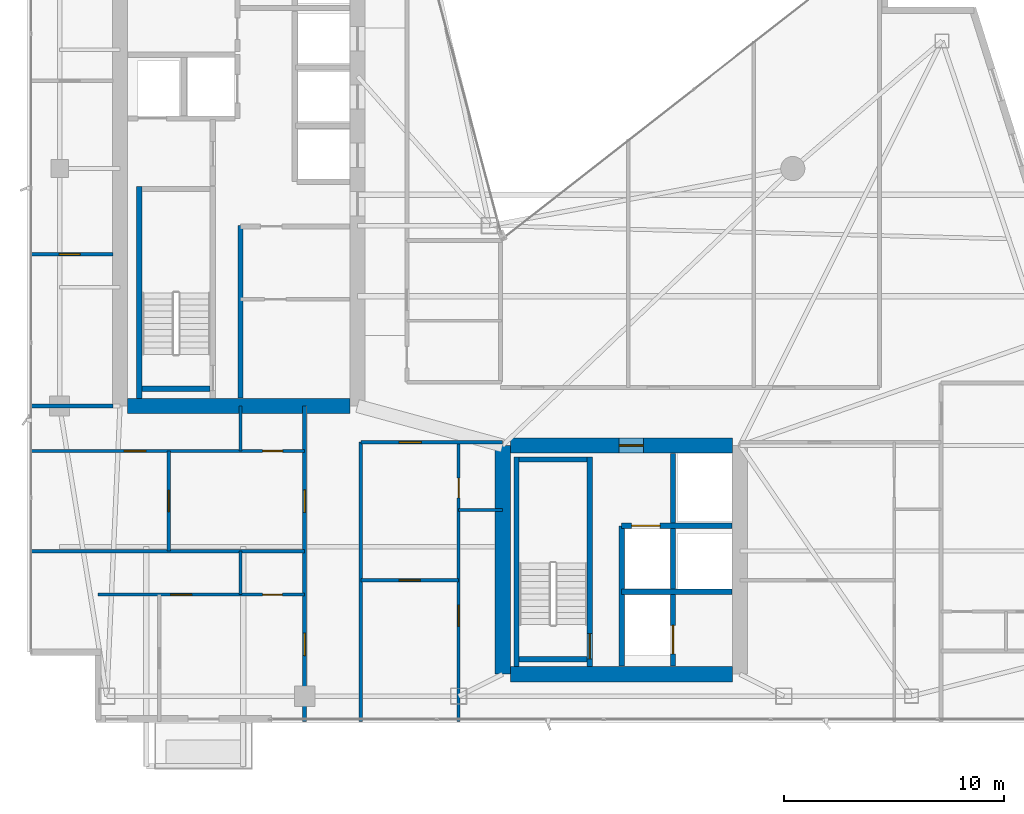
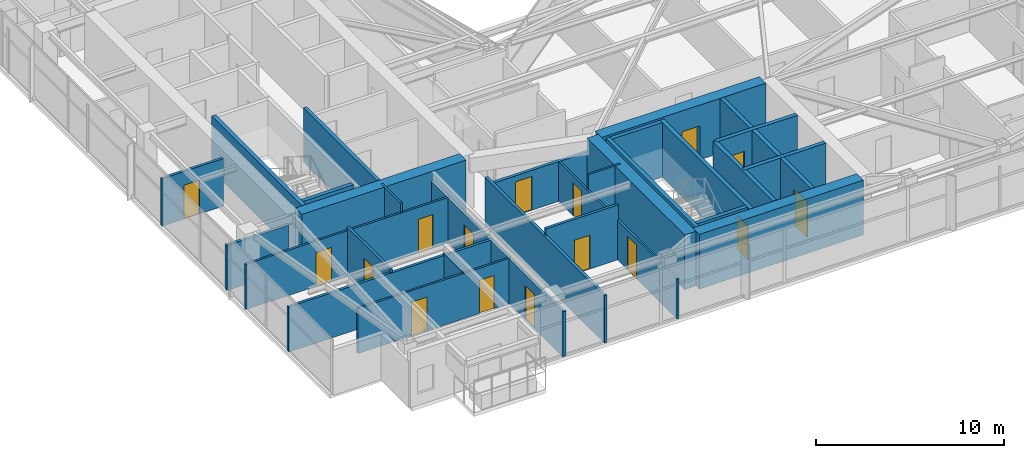
# One storey, part 24 of 30: 29 walls, 16 doors, 16 openings.
"""IFC4 building model written with IfcOpenShell, lengths in metres."""

from ifc_helpers import new_model, si_unit, direction, frame, frame_2d, origin, place, context, subcontext, project, spatial, rectangle, extrude, material, layer, layer_set, type_object, element, fill, save


model = new_model("IFC4")

# Units and contexts
model_context = context("Model", 3, precision=1e-05, world=origin(), true_north=direction((0.0, 1.0)))
body_context = subcontext(model_context, "Body", "Model", "MODEL_VIEW")
ifc_project = project(units=[si_unit("LENGTHUNIT", "METRE"), si_unit("AREAUNIT", "SQUARE_METRE"), si_unit("VOLUMEUNIT", "CUBIC_METRE"), si_unit("PLANEANGLEUNIT", "RADIAN"), si_unit("MASSUNIT", "GRAM", prefix="KILO")], contexts=[model_context])

# Site, building, storey
site_placement = place(None, origin())
site = spatial("IfcSite", under=ifc_project, at=site_placement, CompositionType="ELEMENT")
building_placement = place(site_placement, origin())
building = spatial("IfcBuilding", under=site, at=building_placement, Name="Calvorn Quay Hotel", CompositionType="ELEMENT")
storey_placement = place(building_placement, frame((0.0, 0.0, 203.39990234375)))
storey = spatial("IfcBuildingStorey", under=building, at=storey_placement, Name="L50", CompositionType="ELEMENT", Elevation=203.39990234375)

# Walls
ifc_material_1 = material(Name="Concrete C45", Category="concrete")
ifc_layer_1 = layer(ifc_material_1, 0.699951171875)
ifc_layer_set_1 = layer_set([ifc_layer_1], Name="WL-CORE-700")
wall_type_1 = type_object("IfcWallType", Name="WL-CORE-700", PredefinedType="SHEAR", material=ifc_layer_set_1)
wall_1_placement = place(storey_placement, frame((4.550048828125, 16.800048828125, 0.0), z_axis=(0.0, 0.0, 1.0), x_axis=(1.0, 0.0, 0.0)))
element("IfcWall", 1, at=wall_1_placement, inside=storey, type_object=wall_type_1, Name="West Core Shear Wall S (L50)", PredefinedType="SHEAR", context=body_context, shape_type="SweptSolid", body=[
    extrude(rectangle(XDim=10.099853515625, YDim=0.699951171875, at=frame_2d((5.0498046875, 0.0))), origin(), (0.0, 0.0, 1.0), 3.56005859375),
])
wall_2_placement = place(storey_placement, frame((21.60009765625, 4.60009765625, 0.0), z_axis=(0.0, 0.0, 1.0), x_axis=(0.0, 1.0, 0.0)))
element("IfcWall", 2, at=wall_2_placement, inside=storey, type_object=wall_type_1, Name="East Core Shear Wall W (L50)", PredefinedType="SHEAR", context=body_context, shape_type="SweptSolid", body=[
    extrude(rectangle(XDim=10.39990234375, YDim=0.699951171875, at=frame_2d((5.199951171875, 0.0))), origin(), (0.0, 0.0, 1.0), 3.56005859375),
])

# Wall, opening, door
wall_3_placement = place(storey_placement, frame((21.949951171875, 15.0, 0.0), z_axis=(0.0, 0.0, 1.0), x_axis=(1.0, 0.0, 0.0)))
wall_3 = element("IfcWall", 3, at=wall_3_placement, inside=storey, type_object=wall_type_1, Name="East Core Shear Wall N (L50)", PredefinedType="SHEAR", context=body_context, shape_type="SweptSolid", body=[
    extrude(rectangle(XDim=10.10009765625, YDim=0.699951171875, at=frame_2d((5.050048828125, 0.0))), origin(), (0.0, 0.0, 1.0), 3.56005859375),
])
opening_1_placement = place(wall_3_placement, frame((4.949951171875, 0.0, 0.0)))
opening_1 = element("IfcOpeningElement", 4, at=opening_1_placement, cuts=wall_3, Name="Opening D-L50-FLE", PredefinedType="OPENING", context=body_context, shape_type="SweptSolid", body=[
    extrude(rectangle(XDim=1.10009765625, YDim=2.199951171875, at=frame_2d((0.550048828125, 1.10009765625))), frame((0.0, 0.35986328125, 0.0), z_axis=(0.0, -1.0, 0.0), x_axis=(1.0, 0.0, 0.0)), (0.0, 0.0, 1.0), 0.719970703125),
])
ifc_material_2 = material(Name="Smoke-Sealed Steel Class A Fire Door", Category="steel")
door_type_1 = type_object("IfcDoorType", Name="DR-FFLOBBY-1100", OperationType="NOTDEFINED", PredefinedType="DOOR", material=ifc_material_2)
door_1_placement = place(opening_1_placement, origin())
door_1 = element("IfcDoor", 5, at=door_1_placement, inside=storey, type_object=door_type_1, Name="East Firefighting Lobby Fire Door (L50)", OperationType="SINGLE_SWING_RIGHT", OverallHeight=2.199951171875, OverallWidth=1.10009765625, PredefinedType="DOOR", context=body_context, shape_type="SweptSolid", body=[
    extrude(rectangle(XDim=1.10009765625, YDim=2.199951171875, at=frame_2d((0.550048828125, 1.10009765625))), frame((0.0, 0.02490234375, 0.0), z_axis=(0.0, -1.0, 0.0), x_axis=(1.0, 0.0, 0.0)), (0.0, 0.0, 1.0), 0.050048828125),
])
fill(opening_1, door_1)

# Walls
wall_4_placement = place(storey_placement, frame((21.949951171875, 4.60009765625, 0.0), z_axis=(0.0, 0.0, 1.0), x_axis=(1.0, 0.0, 0.0)))
element("IfcWall", 6, at=wall_4_placement, inside=storey, type_object=wall_type_1, Name="East Core Shear Wall S (L50)", PredefinedType="SHEAR", context=body_context, shape_type="SweptSolid", body=[
    extrude(rectangle(XDim=10.10009765625, YDim=0.699951171875, at=frame_2d((5.050048828125, 0.0))), origin(), (0.0, 0.0, 1.0), 3.56005859375),
])
ifc_material_3 = material(Name="Acoustic Fireboard Steel-Stud Partition", Category="steel")
ifc_layer_2 = layer(ifc_material_3, 0.179931640625)
ifc_layer_set_2 = layer_set([ifc_layer_2], Name="WL-CORR-FIRE-180")
wall_type_2 = type_object("IfcWallType", Name="WL-CORR-FIRE-180", PredefinedType="PARTITIONING", material=ifc_layer_set_2)
wall_5_placement = place(storey_placement, frame((0.080078125, 16.800048828125, 0.0), z_axis=(0.0, 0.0, 1.0), x_axis=(1.0, 0.0, 0.0)))
element("IfcWall", 7, at=wall_5_placement, inside=storey, type_object=wall_type_2, Name="Partition Wall L50-WL-WBAY-S-WALL", PredefinedType="PARTITIONING", context=body_context, shape_type="SweptSolid", body=[
    extrude(rectangle(XDim=3.7998046875, YDim=0.179931640625, at=frame_2d((1.89990234375, 0.0))), origin(), (0.0, 0.0, 1.0), 2.940185546875),
])

# Wall, openings, doors
wall_6_placement = place(storey_placement, frame((12.60009765625, 2.43994140625, 0.0), z_axis=(0.0, 0.0, 1.0), x_axis=(0.0, 1.0, 0.0)))
wall_6 = element("IfcWall", 8, at=wall_6_placement, inside=storey, type_object=wall_type_2, Name="Partition Wall L50-WL-CORR-SW-LEG-W", PredefinedType="PARTITIONING", context=body_context, shape_type="SweptSolid", body=[
    extrude(rectangle(XDim=14.360107421875, YDim=0.179931640625, at=frame_2d((7.18017578125, 0.0))), origin(), (0.0, 0.0, 1.0), 2.940185546875),
])
opening_2_placement = place(wall_6_placement, frame((3.010009765625, 0.0, 0.0)))
opening_2 = element("IfcOpeningElement", 9, at=opening_2_placement, cuts=wall_6, Name="Opening D-L50-U01", PredefinedType="OPENING", context=body_context, shape_type="SweptSolid", body=[
    extrude(rectangle(XDim=1.02001953125, YDim=2.199951171875, at=frame_2d((0.510009765625, 1.10009765625))), frame((0.0, 0.099853515625, 0.0), z_axis=(0.0, -1.0, 0.0), x_axis=(1.0, 0.0, 0.0)), (0.0, 0.0, 1.0), 0.199951171875),
])
opening_3_placement = place(wall_6_placement, frame((9.52001953125, 0.0, 0.0)))
opening_3 = element("IfcOpeningElement", 10, at=opening_3_placement, cuts=wall_6, Name="Opening D-L50-U02", PredefinedType="OPENING", context=body_context, shape_type="SweptSolid", body=[
    extrude(rectangle(XDim=1.02001953125, YDim=2.199951171875, at=frame_2d((0.510009765625, 1.10009765625))), frame((0.0, 0.099853515625, 0.0), z_axis=(0.0, -1.0, 0.0), x_axis=(1.0, 0.0, 0.0)), (0.0, 0.0, 1.0), 0.199951171875),
])
ifc_material_4 = material(Name="Solid-Core Walnut Veneer Hotel Fire Door")
door_type_2 = type_object("IfcDoorType", Name="DR-GUEST-ENTRY-1020", OperationType="NOTDEFINED", PredefinedType="DOOR", material=ifc_material_4)
door_2_placement = place(opening_2_placement, origin())
door_2 = element("IfcDoor", 11, at=door_2_placement, inside=storey, type_object=door_type_2, Name="South-West Unit Door U01 (L50)", OperationType="SINGLE_SWING_LEFT", OverallHeight=2.199951171875, OverallWidth=1.02001953125, PredefinedType="DOOR", context=body_context, shape_type="SweptSolid", body=[
    extrude(rectangle(XDim=1.02001953125, YDim=2.199951171875, at=frame_2d((0.510009765625, 1.10009765625))), frame((0.0, 0.02490234375, 0.0), z_axis=(0.0, -1.0, 0.0), x_axis=(1.0, 0.0, 0.0)), (0.0, 0.0, 1.0), 0.050048828125),
])
fill(opening_2, door_2)
door_3_placement = place(opening_3_placement, origin())
door_3 = element("IfcDoor", 12, at=door_3_placement, inside=storey, type_object=door_type_2, Name="South-West Unit Door U02 (L50)", OperationType="SINGLE_SWING_RIGHT", OverallHeight=2.199951171875, OverallWidth=1.02001953125, PredefinedType="DOOR", context=body_context, shape_type="SweptSolid", body=[
    extrude(rectangle(XDim=1.02001953125, YDim=2.199951171875, at=frame_2d((0.510009765625, 1.10009765625))), frame((0.0, 0.02490234375, 0.0), z_axis=(0.0, -1.0, 0.0), x_axis=(1.0, 0.0, 0.0)), (0.0, 0.0, 1.0), 0.050048828125),
])
fill(opening_3, door_3)

# Wall
wall_7_placement = place(storey_placement, frame((15.14990234375, 2.43994140625, 0.0), z_axis=(0.0, 0.0, 1.0), x_axis=(0.0, 1.0, 0.0)))
element("IfcWall", 13, at=wall_7_placement, inside=storey, type_object=wall_type_2, Name="Partition Wall L50-WL-CORR-SW-W", PredefinedType="PARTITIONING", context=body_context, shape_type="SweptSolid", body=[
    extrude(rectangle(XDim=12.7099609375, YDim=0.179931640625, at=frame_2d((6.35498046875, 0.0))), origin(), (0.0, 0.0, 1.0), 3.090087890625),
])

# Wall, opening, door
wall_8_placement = place(storey_placement, frame((15.14990234375, 15.14990234375, 0.0), z_axis=(0.0, 0.0, 1.0), x_axis=(1.0, 0.0, 0.0)))
wall_8 = element("IfcWall", 14, at=wall_8_placement, inside=storey, type_object=wall_type_2, Name="Partition Wall L50-WL-SC-CORR-S", PredefinedType="PARTITIONING", context=body_context, shape_type="SweptSolid", body=[
    extrude(rectangle(XDim=6.4501953125, YDim=0.179931640625, at=frame_2d((3.22509765625, 0.0))), origin(), (0.0, 0.0, 1.0), 2.590087890625),
])
opening_4_placement = place(wall_8_placement, frame((1.739990234375, 0.0, 0.0)))
opening_4 = element("IfcOpeningElement", 15, at=opening_4_placement, cuts=wall_8, Name="Opening D-L50-U03", PredefinedType="OPENING", context=body_context, shape_type="SweptSolid", body=[
    extrude(rectangle(XDim=1.02001953125, YDim=2.199951171875, at=frame_2d((0.510009765625, 1.10009765625))), frame((0.0, 0.099853515625, 0.0), z_axis=(0.0, -1.0, 0.0), x_axis=(1.0, 0.0, 0.0)), (0.0, 0.0, 1.0), 0.199951171875),
])
door_4_placement = place(opening_4_placement, origin())
door_4 = element("IfcDoor", 16, at=door_4_placement, inside=storey, type_object=door_type_2, Name="Harbour Central Unit Door (L50)", OperationType="SINGLE_SWING_LEFT", OverallHeight=2.199951171875, OverallWidth=1.02001953125, PredefinedType="DOOR", context=body_context, shape_type="SweptSolid", body=[
    extrude(rectangle(XDim=1.02001953125, YDim=2.199951171875, at=frame_2d((0.510009765625, 1.10009765625))), frame((0.0, 0.02490234375, 0.0), z_axis=(0.0, -1.0, 0.0), x_axis=(1.0, 0.0, 0.0)), (0.0, 0.0, 1.0), 0.050048828125),
])
fill(opening_4, door_4)

# Wall
ifc_material_5 = material(Name="Moisture-Resistant Tile-Backed Partition")
ifc_layer_3 = layer(ifc_material_5, 0.125)
ifc_layer_set_3 = layer_set([ifc_layer_3], Name="WL-ENSUITE-125")
wall_type_3 = type_object("IfcWallType", Name="WL-ENSUITE-125", PredefinedType="PARTITIONING", material=ifc_layer_set_3)
wall_9_placement = place(storey_placement, frame((9.679931640625, 8.219970703125, 0.0), z_axis=(0.0, 0.0, 1.0), x_axis=(0.0, 1.0, 0.0)))
element("IfcWall", 17, at=wall_9_placement, inside=storey, type_object=wall_type_3, Name="Partition Wall L50-WL-U01-BDV", PredefinedType="PARTITIONING", context=body_context, shape_type="SweptSolid", body=[
    extrude(rectangle(XDim=1.97998046875, YDim=0.125, at=frame_2d((0.989990234375, 0.0))), origin(), (0.0, 0.0, 1.0), 3.090087890625),
])

# Wall, openings, doors
wall_10_placement = place(storey_placement, frame((3.199951171875, 8.219970703125, 0.0), z_axis=(0.0, 0.0, 1.0), x_axis=(1.0, 0.0, 0.0)))
wall_10 = element("IfcWall", 18, at=wall_10_placement, inside=storey, type_object=wall_type_3, Name="Partition Wall L50-WL-U01-BH", PredefinedType="PARTITIONING", context=body_context, shape_type="SweptSolid", body=[
    extrude(rectangle(XDim=9.400146484375, YDim=0.125, at=frame_2d((4.7001953125, 0.0))), origin(), (0.0, 0.0, 1.0), 2.940185546875),
])
opening_5_placement = place(wall_10_placement, frame((3.300048828125, 0.0, 0.0)))
opening_5 = element("IfcOpeningElement", 19, at=opening_5_placement, cuts=wall_10, Name="Opening D-L50-S01", PredefinedType="OPENING", context=body_context, shape_type="SweptSolid", body=[
    extrude(rectangle(XDim=0.9599609375, YDim=2.199951171875, at=frame_2d((0.47998046875, 1.10009765625))), frame((0.0, 0.072509765625, 0.0), z_axis=(0.0, -1.0, 0.0), x_axis=(1.0, 0.0, 0.0)), (0.0, 0.0, 1.0), 0.14501953125),
])
opening_6_placement = place(wall_10_placement, frame((7.489990234375, 0.0, 0.0)))
opening_6 = element("IfcOpeningElement", 20, at=opening_6_placement, cuts=wall_10, Name="Opening D-L50-E01", PredefinedType="OPENING", context=body_context, shape_type="SweptSolid", body=[
    extrude(rectangle(XDim=0.89990234375, YDim=2.14990234375, at=frame_2d((0.449951171875, 1.074951171875))), frame((0.0, 0.072509765625, 0.0), z_axis=(0.0, -1.0, 0.0), x_axis=(1.0, 0.0, 0.0)), (0.0, 0.0, 1.0), 0.14501953125),
])
ifc_material_6 = material(Name="Moisture-Sealed Timber En-Suite Door", Category="wood")
door_type_3 = type_object("IfcDoorType", Name="DR-ENSUITE-900", OperationType="NOTDEFINED", PredefinedType="DOOR", material=ifc_material_6)
door_5_placement = place(opening_6_placement, origin())
door_5 = element("IfcDoor", 21, at=door_5_placement, inside=storey, type_object=door_type_3, Name="En-Suite Door 01", OperationType="SINGLE_SWING_RIGHT", OverallHeight=2.14990234375, OverallWidth=0.89990234375, PredefinedType="DOOR", context=body_context, shape_type="SweptSolid", body=[
    extrude(rectangle(XDim=0.89990234375, YDim=2.14990234375, at=frame_2d((0.449951171875, 1.074951171875))), frame((0.0, 0.02490234375, 0.0), z_axis=(0.0, -1.0, 0.0), x_axis=(1.0, 0.0, 0.0)), (0.0, 0.0, 1.0), 0.050048828125),
])
fill(opening_6, door_5)
ifc_material_7 = material(Name="Solid Timber Internal Suite Door", Category="wood")
door_type_4 = type_object("IfcDoorType", Name="DR-SUITE-INT-960", OperationType="NOTDEFINED", PredefinedType="DOOR", material=ifc_material_7)
door_6_placement = place(opening_5_placement, origin())
door_6 = element("IfcDoor", 22, at=door_6_placement, inside=storey, type_object=door_type_4, Name="Executive Study Door 01", OperationType="SINGLE_SWING_LEFT", OverallHeight=2.199951171875, OverallWidth=0.9599609375, PredefinedType="DOOR", context=body_context, shape_type="SweptSolid", body=[
    extrude(rectangle(XDim=0.9599609375, YDim=2.199951171875, at=frame_2d((0.47998046875, 1.10009765625))), frame((0.0, 0.02490234375, 0.0), z_axis=(0.0, -1.0, 0.0), x_axis=(1.0, 0.0, 0.0)), (0.0, 0.0, 1.0), 0.050048828125),
])
fill(opening_5, door_6)

# Wall
wall_11_placement = place(storey_placement, frame((9.679931640625, 14.75, 0.0), z_axis=(0.0, 0.0, 1.0), x_axis=(0.0, 1.0, 0.0)))
element("IfcWall", 23, at=wall_11_placement, inside=storey, type_object=wall_type_3, Name="Partition Wall L50-WL-U02-BDV", PredefinedType="PARTITIONING", context=body_context, shape_type="SweptSolid", body=[
    extrude(rectangle(XDim=2.050048828125, YDim=0.125, at=frame_2d((1.02490234375, 0.0))), origin(), (0.0, 0.0, 1.0), 3.56005859375),
])

# Wall, openings, doors
wall_12_placement = place(storey_placement, frame((0.080078125, 14.75, 0.0), z_axis=(0.0, 0.0, 1.0), x_axis=(1.0, 0.0, 0.0)))
wall_12 = element("IfcWall", 24, at=wall_12_placement, inside=storey, type_object=wall_type_3, Name="Partition Wall L50-WL-U02-BH", PredefinedType="PARTITIONING", context=body_context, shape_type="SweptSolid", body=[
    extrude(rectangle(XDim=12.52001953125, YDim=0.125, at=frame_2d((6.260009765625, 0.0))), origin(), (0.0, 0.0, 1.0), 2.940185546875),
])
opening_7_placement = place(wall_12_placement, frame((4.320068359375, 0.0, 0.0)))
opening_7 = element("IfcOpeningElement", 25, at=opening_7_placement, cuts=wall_12, Name="Opening D-L50-S02", PredefinedType="OPENING", context=body_context, shape_type="SweptSolid", body=[
    extrude(rectangle(XDim=0.9599609375, YDim=2.199951171875, at=frame_2d((0.47998046875, 1.10009765625))), frame((0.0, 0.072509765625, 0.0), z_axis=(0.0, -1.0, 0.0), x_axis=(1.0, 0.0, 0.0)), (0.0, 0.0, 1.0), 0.14501953125),
])
opening_8_placement = place(wall_12_placement, frame((10.610107421875, 0.0, 0.0)))
opening_8 = element("IfcOpeningElement", 26, at=opening_8_placement, cuts=wall_12, Name="Opening D-L50-E02", PredefinedType="OPENING", context=body_context, shape_type="SweptSolid", body=[
    extrude(rectangle(XDim=0.89990234375, YDim=2.14990234375, at=frame_2d((0.449951171875, 1.074951171875))), frame((0.0, 0.072509765625, 0.0), z_axis=(0.0, -1.0, 0.0), x_axis=(1.0, 0.0, 0.0)), (0.0, 0.0, 1.0), 0.14501953125),
])
door_7_placement = place(opening_8_placement, origin())
door_7 = element("IfcDoor", 27, at=door_7_placement, inside=storey, type_object=door_type_3, Name="En-Suite Door 02", OperationType="SINGLE_SWING_RIGHT", OverallHeight=2.14990234375, OverallWidth=0.89990234375, PredefinedType="DOOR", context=body_context, shape_type="SweptSolid", body=[
    extrude(rectangle(XDim=0.89990234375, YDim=2.14990234375, at=frame_2d((0.449951171875, 1.074951171875))), frame((0.0, 0.02490234375, 0.0), z_axis=(0.0, -1.0, 0.0), x_axis=(1.0, 0.0, 0.0)), (0.0, 0.0, 1.0), 0.050048828125),
])
fill(opening_8, door_7)
door_8_placement = place(opening_7_placement, origin())
door_8 = element("IfcDoor", 28, at=door_8_placement, inside=storey, type_object=door_type_4, Name="Executive Study Door 02", OperationType="SINGLE_SWING_LEFT", OverallHeight=2.199951171875, OverallWidth=0.9599609375, PredefinedType="DOOR", context=body_context, shape_type="SweptSolid", body=[
    extrude(rectangle(XDim=0.9599609375, YDim=2.199951171875, at=frame_2d((0.47998046875, 1.10009765625))), frame((0.0, 0.02490234375, 0.0), z_axis=(0.0, -1.0, 0.0), x_axis=(1.0, 0.0, 0.0)), (0.0, 0.0, 1.0), 0.050048828125),
])
fill(opening_7, door_8)

# Wall
wall_13_placement = place(storey_placement, frame((19.60009765625, 12.070068359375, 0.0), z_axis=(0.0, 0.0, 1.0), x_axis=(1.0, 0.0, 0.0)))
element("IfcWall", 29, at=wall_13_placement, inside=storey, type_object=wall_type_3, Name="Partition Wall L50-WL-U03-BDV", PredefinedType="PARTITIONING", context=body_context, shape_type="SweptSolid", body=[
    extrude(rectangle(XDim=2.0, YDim=0.125, at=frame_2d((1.0, 0.0))), origin(), (0.0, 0.0, 1.0), 3.56005859375),
])

# Wall, openings, doors
wall_14_placement = place(storey_placement, frame((19.60009765625, 2.43994140625, 0.0), z_axis=(0.0, 0.0, 1.0), x_axis=(0.0, 1.0, 0.0)))
wall_14 = element("IfcWall", 30, at=wall_14_placement, inside=storey, type_object=wall_type_3, Name="Partition Wall L50-WL-U03-BV", PredefinedType="PARTITIONING", context=body_context, shape_type="SweptSolid", body=[
    extrude(rectangle(XDim=12.7099609375, YDim=0.125, at=frame_2d((6.35498046875, 0.0))), origin(), (0.0, 0.0, 1.0), 2.590087890625),
])
opening_9_placement = place(wall_14_placement, frame((4.340087890625, 0.0, 0.0)))
opening_9 = element("IfcOpeningElement", 31, at=opening_9_placement, cuts=wall_14, Name="Opening D-L50-S03", PredefinedType="OPENING", context=body_context, shape_type="SweptSolid", body=[
    extrude(rectangle(XDim=0.9599609375, YDim=2.199951171875, at=frame_2d((0.47998046875, 1.10009765625))), frame((0.0, 0.072509765625, 0.0), z_axis=(0.0, -1.0, 0.0), x_axis=(1.0, 0.0, 0.0)), (0.0, 0.0, 1.0), 0.14501953125),
])
opening_10_placement = place(wall_14_placement, frame((10.179931640625, 0.0, 0.0)))
opening_10 = element("IfcOpeningElement", 32, at=opening_10_placement, cuts=wall_14, Name="Opening D-L50-E03", PredefinedType="OPENING", context=body_context, shape_type="SweptSolid", body=[
    extrude(rectangle(XDim=0.89990234375, YDim=2.14990234375, at=frame_2d((0.449951171875, 1.074951171875))), frame((0.0, 0.072509765625, 0.0), z_axis=(0.0, -1.0, 0.0), x_axis=(1.0, 0.0, 0.0)), (0.0, 0.0, 1.0), 0.14501953125),
])
door_9_placement = place(opening_10_placement, origin())
door_9 = element("IfcDoor", 33, at=door_9_placement, inside=storey, type_object=door_type_3, Name="En-Suite Door 03", OperationType="SINGLE_SWING_RIGHT", OverallHeight=2.14990234375, OverallWidth=0.89990234375, PredefinedType="DOOR", context=body_context, shape_type="SweptSolid", body=[
    extrude(rectangle(XDim=0.89990234375, YDim=2.14990234375, at=frame_2d((0.449951171875, 1.074951171875))), frame((0.0, 0.02490234375, 0.0), z_axis=(0.0, -1.0, 0.0), x_axis=(1.0, 0.0, 0.0)), (0.0, 0.0, 1.0), 0.050048828125),
])
fill(opening_10, door_9)
door_10_placement = place(opening_9_placement, origin())
door_10 = element("IfcDoor", 34, at=door_10_placement, inside=storey, type_object=door_type_4, Name="Executive Study Door 03", OperationType="SINGLE_SWING_LEFT", OverallHeight=2.199951171875, OverallWidth=0.9599609375, PredefinedType="DOOR", context=body_context, shape_type="SweptSolid", body=[
    extrude(rectangle(XDim=0.9599609375, YDim=2.199951171875, at=frame_2d((0.47998046875, 1.10009765625))), frame((0.0, 0.02490234375, 0.0), z_axis=(0.0, -1.0, 0.0), x_axis=(1.0, 0.0, 0.0)), (0.0, 0.0, 1.0), 0.050048828125),
])
fill(opening_9, door_10)

# Wall, opening, door
ifc_material_8 = material(Name="Double-Stud Acoustic Gypsum Partition")
ifc_layer_4 = layer(ifc_material_8, 0.159912109375)
ifc_layer_set_4 = layer_set([ifc_layer_4], Name="WL-INTERSUITE-160")
wall_type_4 = type_object("IfcWallType", Name="WL-INTERSUITE-160", PredefinedType="PARTITIONING", material=ifc_layer_set_4)
wall_15_placement = place(storey_placement, frame((0.080078125, 23.699951171875, 0.0), z_axis=(0.0, 0.0, 1.0), x_axis=(1.0, 0.0, 0.0)))
wall_15 = element("IfcWall", 35, at=wall_15_placement, inside=storey, type_object=wall_type_4, Name="Partition Wall L50-WL-WBAY-DIVA", PredefinedType="PARTITIONING", context=body_context, shape_type="SweptSolid", body=[
    extrude(rectangle(XDim=3.7998046875, YDim=0.159912109375, at=frame_2d((1.89990234375, 0.0))), origin(), (0.0, 0.0, 1.0), 3.090087890625),
])
opening_11_placement = place(wall_15_placement, frame((1.35009765625, 0.0, 0.0)))
opening_11 = element("IfcOpeningElement", 36, at=opening_11_placement, cuts=wall_15, Name="Opening D-L50-WBA", PredefinedType="OPENING", context=body_context, shape_type="SweptSolid", body=[
    extrude(rectangle(XDim=0.9599609375, YDim=2.199951171875, at=frame_2d((0.47998046875, 1.10009765625))), frame((0.0, 0.08984375, 0.0), z_axis=(0.0, -1.0, 0.0), x_axis=(1.0, 0.0, 0.0)), (0.0, 0.0, 1.0), 0.179931640625),
])
door_11_placement = place(opening_11_placement, origin())
door_11 = element("IfcDoor", 37, at=door_11_placement, inside=storey, type_object=door_type_4, Name="West South Connecting Door (L50)", OperationType="SINGLE_SWING_LEFT", OverallHeight=2.199951171875, OverallWidth=0.9599609375, PredefinedType="DOOR", context=body_context, shape_type="SweptSolid", body=[
    extrude(rectangle(XDim=0.9599609375, YDim=2.199951171875, at=frame_2d((0.47998046875, 1.10009765625))), frame((0.0, 0.02490234375, 0.0), z_axis=(0.0, -1.0, 0.0), x_axis=(1.0, 0.0, 0.0)), (0.0, 0.0, 1.0), 0.050048828125),
])
fill(opening_11, door_11)

wall_16_placement = place(storey_placement, frame((6.419921875, 10.199951171875, 0.0), z_axis=(0.0, 0.0, 1.0), x_axis=(0.0, 1.0, 0.0)))
wall_16 = element("IfcWall", 38, at=wall_16_placement, inside=storey, type_object=wall_type_4, Name="Partition Wall L50-WL-U02-MSP", PredefinedType="PARTITIONING", context=body_context, shape_type="SweptSolid", body=[
    extrude(rectangle(XDim=4.550048828125, YDim=0.159912109375, at=frame_2d((2.27490234375, 0.0))), origin(), (0.0, 0.0, 1.0), 3.14013671875),
])
opening_12_placement = place(wall_16_placement, frame((1.800048828125, 0.0, 0.0)))
opening_12 = element("IfcOpeningElement", 39, at=opening_12_placement, cuts=wall_16, Name="Opening D-L50-M02", PredefinedType="OPENING", context=body_context, shape_type="SweptSolid", body=[
    extrude(rectangle(XDim=0.9599609375, YDim=2.199951171875, at=frame_2d((0.47998046875, 1.10009765625))), frame((0.0, 0.08984375, 0.0), z_axis=(0.0, -1.0, 0.0), x_axis=(1.0, 0.0, 0.0)), (0.0, 0.0, 1.0), 0.179931640625),
])
door_12_placement = place(opening_12_placement, origin())
door_12 = element("IfcDoor", 40, at=door_12_placement, inside=storey, type_object=door_type_4, Name="Suite Bedroom Door 02", OperationType="SINGLE_SWING_LEFT", OverallHeight=2.199951171875, OverallWidth=0.9599609375, PredefinedType="DOOR", context=body_context, shape_type="SweptSolid", body=[
    extrude(rectangle(XDim=0.9599609375, YDim=2.199951171875, at=frame_2d((0.47998046875, 1.10009765625))), frame((0.0, 0.02490234375, 0.0), z_axis=(0.0, -1.0, 0.0), x_axis=(1.0, 0.0, 0.0)), (0.0, 0.0, 1.0), 0.050048828125),
])
fill(opening_12, door_12)

# Wall
wall_17_placement = place(storey_placement, frame((0.080078125, 10.199951171875, 0.0), z_axis=(0.0, 0.0, 1.0), x_axis=(1.0, 0.0, 0.0)))
element("IfcWall", 41, at=wall_17_placement, inside=storey, type_object=wall_type_4, Name="Partition Wall L50-WL-SW-DIV-1", PredefinedType="PARTITIONING", context=body_context, shape_type="SweptSolid", body=[
    extrude(rectangle(XDim=12.52001953125, YDim=0.159912109375, at=frame_2d((6.260009765625, 0.0))), origin(), (0.0, 0.0, 1.0), 2.940185546875),
])

# Wall, opening, door
wall_18_placement = place(storey_placement, frame((15.14990234375, 8.8701171875, 0.0), z_axis=(0.0, 0.0, 1.0), x_axis=(1.0, 0.0, 0.0)))
wall_18 = element("IfcWall", 42, at=wall_18_placement, inside=storey, type_object=wall_type_4, Name="Partition Wall L50-WL-U03-MSP", PredefinedType="PARTITIONING", context=body_context, shape_type="SweptSolid", body=[
    extrude(rectangle(XDim=4.4501953125, YDim=0.159912109375, at=frame_2d((2.22509765625, 0.0))), origin(), (0.0, 0.0, 1.0), 3.56005859375),
])
opening_13_placement = place(wall_18_placement, frame((1.75, 0.0, 0.0)))
opening_13 = element("IfcOpeningElement", 43, at=opening_13_placement, cuts=wall_18, Name="Opening D-L50-M03", PredefinedType="OPENING", context=body_context, shape_type="SweptSolid", body=[
    extrude(rectangle(XDim=0.9599609375, YDim=2.199951171875, at=frame_2d((0.47998046875, 1.10009765625))), frame((0.0, 0.08984375, 0.0), z_axis=(0.0, -1.0, 0.0), x_axis=(1.0, 0.0, 0.0)), (0.0, 0.0, 1.0), 0.179931640625),
])
door_13_placement = place(opening_13_placement, origin())
door_13 = element("IfcDoor", 44, at=door_13_placement, inside=storey, type_object=door_type_4, Name="Suite Bedroom Door 03", OperationType="SINGLE_SWING_LEFT", OverallHeight=2.199951171875, OverallWidth=0.9599609375, PredefinedType="DOOR", context=body_context, shape_type="SweptSolid", body=[
    extrude(rectangle(XDim=0.9599609375, YDim=2.199951171875, at=frame_2d((0.47998046875, 1.10009765625))), frame((0.0, 0.02490234375, 0.0), z_axis=(0.0, -1.0, 0.0), x_axis=(1.0, 0.0, 0.0)), (0.0, 0.0, 1.0), 0.050048828125),
])
fill(opening_13, door_13)

# Walls
ifc_material_9 = material(Name="Autoclaved Aerated Masonry Block", Category="masonry")
ifc_layer_5 = layer(ifc_material_9, 0.219970703125)
ifc_layer_set_5 = layer_set([ifc_layer_5], Name="WL-LOBBY-FIRE-220")
wall_type_5 = type_object("IfcWallType", Name="WL-LOBBY-FIRE-220", PredefinedType="SOLIDWALL", material=ifc_layer_set_5)
wall_19_placement = place(storey_placement, frame((9.679931640625, 17.169921875, 0.0), z_axis=(0.0, 0.0, 1.0), x_axis=(0.0, 1.0, 0.0)))
element("IfcWall", 45, at=wall_19_placement, inside=storey, type_object=wall_type_5, Name="Partition Wall L50-WL-CWW-STW-HALL-E", PredefinedType="SOLIDWALL", context=body_context, shape_type="SweptSolid", body=[
    extrude(rectangle(XDim=7.830078125, YDim=0.219970703125, at=frame_2d((3.9150390625, 0.0))), origin(), (0.0, 0.0, 1.0), 3.56005859375),
])
ifc_material_10 = material(Name="Concrete C40", Category="concrete")
ifc_layer_6 = layer(ifc_material_10, 0.239990234375)
ifc_layer_set_6 = layer_set([ifc_layer_6], Name="WL-SHAFT-240")
wall_type_6 = type_object("IfcWallType", Name="WL-SHAFT-240", PredefinedType="SOLIDWALL", material=ifc_layer_set_6)
wall_20_placement = place(storey_placement, frame((5.080078125, 17.14990234375, 0.0), z_axis=(0.0, 0.0, 1.0), x_axis=(0.0, 1.0, 0.0)))
element("IfcWall", 46, at=wall_20_placement, inside=storey, type_object=wall_type_6, Name="Stair STW Shaft Wall W (L50)", PredefinedType="SOLIDWALL", context=body_context, shape_type="SweptSolid", body=[
    extrude(rectangle(XDim=9.64013671875, YDim=0.239990234375, at=frame_2d((4.820068359375, 0.0))), origin(), (0.0, 0.0, 1.0), 3.56005859375),
])
wall_21_placement = place(storey_placement, frame((5.199951171875, 17.580078125, 0.0), z_axis=(0.0, 0.0, 1.0), x_axis=(1.0, 0.0, 0.0)))
element("IfcWall", 47, at=wall_21_placement, inside=storey, type_object=wall_type_6, Name="Stair STW Shaft Wall S (L50)", PredefinedType="SOLIDWALL", context=body_context, shape_type="SweptSolid", body=[
    extrude(rectangle(XDim=3.10009765625, YDim=0.239990234375, at=frame_2d((1.550048828125, 0.0))), origin(), (0.0, 0.0, 1.0), 3.56005859375),
])
wall_22_placement = place(storey_placement, frame((22.22998046875, 4.949951171875, 0.0), z_axis=(0.0, 0.0, 1.0), x_axis=(0.0, 1.0, 0.0)))
element("IfcWall", 48, at=wall_22_placement, inside=storey, type_object=wall_type_6, Name="Stair STE Shaft Wall W (L50)", PredefinedType="SOLIDWALL", context=body_context, shape_type="SweptSolid", body=[
    extrude(rectangle(XDim=9.5400390625, YDim=0.239990234375, at=frame_2d((4.77001953125, 0.0))), origin(), (0.0, 0.0, 1.0), 3.56005859375),
])

# Wall, opening, door
wall_23_placement = place(storey_placement, frame((25.570068359375, 4.949951171875, 0.0), z_axis=(0.0, 0.0, 1.0), x_axis=(0.0, 1.0, 0.0)))
wall_23 = element("IfcWall", 49, at=wall_23_placement, inside=storey, type_object=wall_type_6, Name="Stair STE Shaft Wall E (L50)", PredefinedType="SOLIDWALL", context=body_context, shape_type="SweptSolid", body=[
    extrude(rectangle(XDim=9.5400390625, YDim=0.239990234375, at=frame_2d((4.77001953125, 0.0))), origin(), (0.0, 0.0, 1.0), 3.56005859375),
])
opening_14_placement = place(wall_23_placement, frame((0.35009765625, 0.0, 0.0)))
opening_14 = element("IfcOpeningElement", 50, at=opening_14_placement, cuts=wall_23, Name="Opening D-L50-STE", PredefinedType="OPENING", context=body_context, shape_type="SweptSolid", body=[
    extrude(rectangle(XDim=1.14990234375, YDim=2.199951171875, at=frame_2d((0.574951171875, 1.10009765625))), frame((0.0, 0.1298828125, 0.0), z_axis=(0.0, -1.0, 0.0), x_axis=(1.0, 0.0, 0.0)), (0.0, 0.0, 1.0), 0.260009765625),
])
ifc_material_11 = material(Name="Galvanised Steel Class A Fire Door", Category="steel")
door_type_5 = type_object("IfcDoorType", Name="DR-STAIR-SMOKE-1150", OperationType="NOTDEFINED", PredefinedType="DOOR", material=ifc_material_11)
door_14_placement = place(opening_14_placement, origin())
door_14 = element("IfcDoor", 51, at=door_14_placement, inside=storey, type_object=door_type_5, Name="Stair ST-E Fire Door (L50)", OperationType="SINGLE_SWING_RIGHT", OverallHeight=2.199951171875, OverallWidth=1.14990234375, PredefinedType="DOOR", context=body_context, shape_type="SweptSolid", body=[
    extrude(rectangle(XDim=1.14990234375, YDim=2.199951171875, at=frame_2d((0.574951171875, 1.10009765625))), frame((0.0, 0.02490234375, 0.0), z_axis=(0.0, -1.0, 0.0), x_axis=(1.0, 0.0, 0.0)), (0.0, 0.0, 1.0), 0.050048828125),
])
fill(opening_14, door_14)

# Walls
for number, where, z_axis, x_axis, name in (
    (52, (22.35009765625, 5.280029296875, 0.0), (0.0, 0.0, 1.0), (1.0, 0.0, 0.0), "Stair STE Shaft Wall S (L50)"),
    (53, (22.35009765625, 14.3701171875, 0.0), (0.0, 0.0, 1.0), (1.0, 0.0, 0.0), "Stair STE Shaft Wall N (L50)"),
):
    element("IfcWall", number, at=place(storey_placement, frame(where, z_axis=z_axis, x_axis=x_axis)), inside=storey, type_object=wall_type_6, Name=name, PredefinedType="SOLIDWALL", context=body_context, shape_type="SweptSolid", body=[
        extrude(rectangle(XDim=3.099853515625, YDim=0.239990234375, at=frame_2d((1.5498046875, 0.0))), origin(), (0.0, 0.0, 1.0), 3.56005859375),
    ])
wall_24_placement = place(storey_placement, frame((27.02001953125, 4.969970703125, 0.0), z_axis=(0.0, 0.0, 1.0), x_axis=(0.0, 1.0, 0.0)))
element("IfcWall", 54, at=wall_24_placement, inside=storey, type_object=wall_type_6, Name="Partition Wall L50-WL-CWE-SH-W", PredefinedType="SOLIDWALL", context=body_context, shape_type="SweptSolid", body=[
    extrude(rectangle(XDim=6.380126953125, YDim=0.239990234375, at=frame_2d((3.18994140625, 0.0))), origin(), (0.0, 0.0, 1.0), 3.56005859375),
])

# Wall, opening, door
wall_25_placement = place(storey_placement, frame((27.02001953125, 11.35009765625, 0.0), z_axis=(0.0, 0.0, 1.0), x_axis=(1.0, 0.0, 0.0)))
wall_25 = element("IfcWall", 55, at=wall_25_placement, inside=storey, type_object=wall_type_6, Name="Partition Wall L50-WL-CWE-FFL-S", PredefinedType="SOLIDWALL", context=body_context, shape_type="SweptSolid", body=[
    extrude(rectangle(XDim=5.010009765625, YDim=0.239990234375, at=frame_2d((2.5048828125, 0.0))), origin(), (0.0, 0.0, 1.0), 3.56005859375),
])
opening_15_placement = place(wall_25_placement, frame((0.449951171875, 0.0, 0.0)))
opening_15 = element("IfcOpeningElement", 56, at=opening_15_placement, cuts=wall_25, Name="Opening LD-L50-FLE1", PredefinedType="OPENING", context=body_context, shape_type="SweptSolid", body=[
    extrude(rectangle(XDim=1.300048828125, YDim=2.35009765625, at=frame_2d((0.64990234375, 1.175048828125))), frame((0.0, 0.1298828125, 0.0), z_axis=(0.0, -1.0, 0.0), x_axis=(1.0, 0.0, 0.0)), (0.0, 0.0, 1.0), 0.260009765625),
])
ifc_material_12 = material(Name="Champagne-Bronze Sliding Express Lift Landing Door")
door_type_6 = type_object("IfcDoorType", Name="DR-LIFT-SHUTTLE-1300", OperationType="NOTDEFINED", PredefinedType="DOOR", material=ifc_material_12)
door_15_placement = place(opening_15_placement, origin())
door_15 = element("IfcDoor", 57, at=door_15_placement, inside=storey, type_object=door_type_6, Name="Firefighting Lift FL-E1 Landing Door (L50)", OperationType="DOUBLE_DOOR_SLIDING", OverallHeight=2.35009765625, OverallWidth=1.300048828125, PredefinedType="DOOR", context=body_context, shape_type="SweptSolid", body=[
    extrude(rectangle(XDim=1.300048828125, YDim=2.35009765625, at=frame_2d((0.64990234375, 1.175048828125))), frame((0.0, 0.02490234375, 0.0), z_axis=(0.0, -1.0, 0.0), x_axis=(1.0, 0.0, 0.0)), (0.0, 0.0, 1.0), 0.050048828125),
])
fill(opening_15, door_15)

# Wall
wall_26_placement = place(storey_placement, frame((27.02001953125, 8.35009765625, 0.0), z_axis=(0.0, 0.0, 1.0), x_axis=(1.0, 0.0, 0.0)))
element("IfcWall", 58, at=wall_26_placement, inside=storey, type_object=wall_type_6, Name="Partition Wall L50-WL-CWE-SL-N", PredefinedType="SOLIDWALL", context=body_context, shape_type="SweptSolid", body=[
    extrude(rectangle(XDim=5.010009765625, YDim=0.239990234375, at=frame_2d((2.5048828125, 0.0))), origin(), (0.0, 0.0, 1.0), 3.56005859375),
])

# Wall, opening, door
wall_27_placement = place(storey_placement, frame((29.35009765625, 4.969970703125, 0.0), z_axis=(0.0, 0.0, 1.0), x_axis=(0.0, 1.0, 0.0)))
wall_27 = element("IfcWall", 59, at=wall_27_placement, inside=storey, type_object=wall_type_6, Name="Partition Wall L50-WL-CWE-OB-W", PredefinedType="SOLIDWALL", context=body_context, shape_type="SweptSolid", body=[
    extrude(rectangle(XDim=9.659912109375, YDim=0.239990234375, at=frame_2d((4.830078125, 0.0))), origin(), (0.0, 0.0, 1.0), 3.56005859375),
])
opening_16_placement = place(wall_27_placement, frame((0.550048828125, 0.0, 0.0)))
opening_16 = element("IfcOpeningElement", 60, at=opening_16_placement, cuts=wall_27, Name="Opening LD-L50-SLEI", PredefinedType="OPENING", context=body_context, shape_type="SweptSolid", body=[
    extrude(rectangle(XDim=1.300048828125, YDim=2.35009765625, at=frame_2d((0.64990234375, 1.175048828125))), frame((0.0, 0.1298828125, 0.0), z_axis=(0.0, -1.0, 0.0), x_axis=(1.0, 0.0, 0.0)), (0.0, 0.0, 1.0), 0.260009765625),
])
door_16_placement = place(opening_16_placement, origin())
door_16 = element("IfcDoor", 61, at=door_16_placement, inside=storey, type_object=door_type_6, Name="Service Lift SL-E1 Landing Door (L50)", OperationType="DOUBLE_DOOR_SLIDING", OverallHeight=2.35009765625, OverallWidth=1.300048828125, PredefinedType="DOOR", context=body_context, shape_type="SweptSolid", body=[
    extrude(rectangle(XDim=1.300048828125, YDim=2.35009765625, at=frame_2d((0.64990234375, 1.175048828125))), frame((0.0, 0.02490234375, 0.0), z_axis=(0.0, -1.0, 0.0), x_axis=(1.0, 0.0, 0.0)), (0.0, 0.0, 1.0), 0.050048828125),
])
fill(opening_16, door_16)

save(model, "model.ifc")
